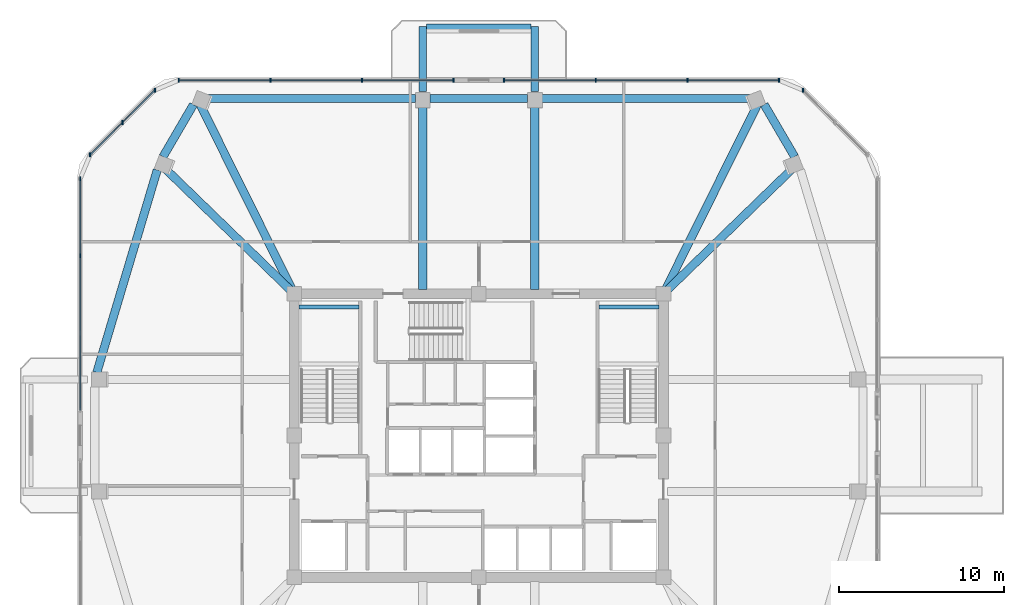
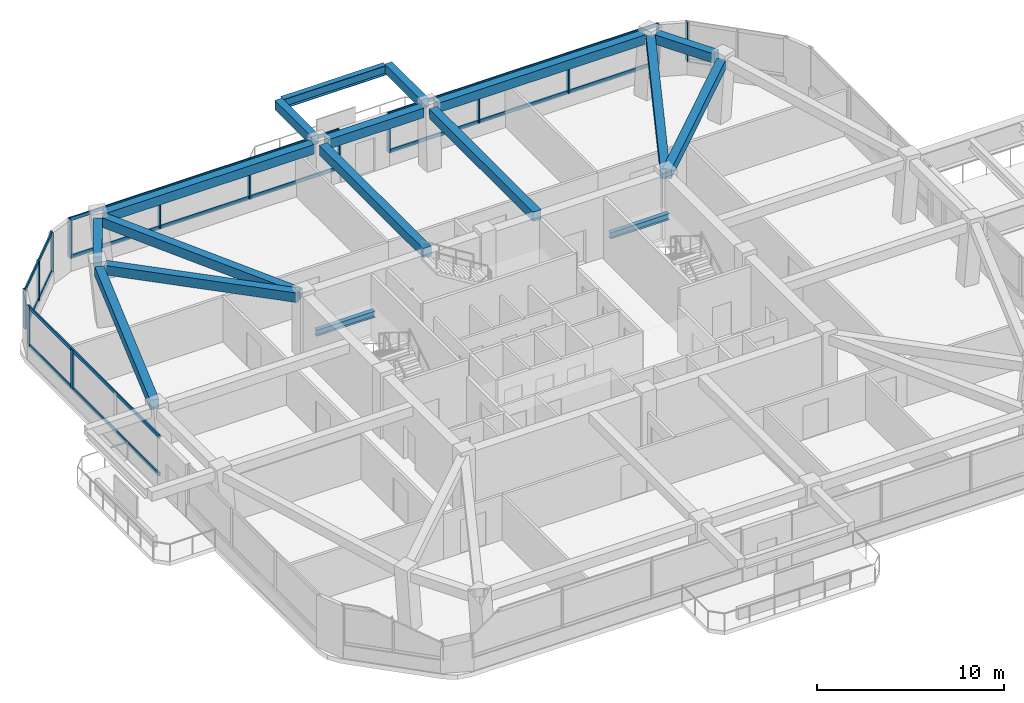
# One storey, part 4 of 13: 22 members, 17 beams, 5 elements without a shape of their own.
"""IFC4 building model written with IfcOpenShell, lengths in metres."""

from ifc_helpers import new_model, si_unit, derived_unit, direction, frame, origin, origin_2d, place, context, subcontext, project, spatial, rectangle, i_section, extrude, material, material_profile, profile_set, type_object, element, aggregate, save


model = new_model("IFC4")

# Units and contexts
model_context = context("Model", 3, precision=1e-05, world=origin(), true_north=direction((0.0, 1.0)))
body_context = subcontext(model_context, "Body", "Model", "MODEL_VIEW")
ifc_project = project(units=[si_unit("LENGTHUNIT", "METRE"), si_unit("AREAUNIT", "SQUARE_METRE"), si_unit("VOLUMEUNIT", "CUBIC_METRE"), si_unit("PLANEANGLEUNIT", "RADIAN"), si_unit("MASSUNIT", "GRAM", prefix="KILO"), derived_unit("THERMALTRANSMITTANCEUNIT", [(si_unit("POWERUNIT", "WATT"), 1), (si_unit("LENGTHUNIT", "METRE"), -2), (si_unit("THERMODYNAMICTEMPERATUREUNIT", "KELVIN"), -1)])], contexts=[model_context])

# Site, building, storey
site_placement = place(None, origin())
site = spatial("IfcSite", under=ifc_project, at=site_placement, CompositionType="ELEMENT")
building_placement = place(site_placement, origin())
building = spatial("IfcBuilding", under=site, at=building_placement, Name="Koralith Skygarden Medical Center", CompositionType="ELEMENT")
storey_placement = place(building_placement, frame((0.0, 0.0, 188.4599609375)))
storey = spatial("IfcBuildingStorey", under=building, at=storey_placement, Name="L48", CompositionType="ELEMENT", Elevation=188.4599609375)

# Curtain wall, member
ifc_material_1 = material(Name="Clear Laminated Glass", Category="glass")
curtain_wall_type = type_object("IfcCurtainWallType", Name="CW-7 Sky-Garden & Pool Conservatory Wall", PredefinedType="NOTDEFINED", material=ifc_material_1)
curtain_wall_1_placement = place(storey_placement, origin())
curtain_wall_1 = element("IfcCurtainWall", 1, at=curtain_wall_1_placement, inside=storey, type_object=curtain_wall_type, Name="Curtain Wall CW-L48-NE", PredefinedType="NOTDEFINED")
ifc_material_2 = material(Name="Aluminium 6063-T6", Category="aluminium")
ifc_material_profile_1 = material_profile(ifc_material_2, rectangle(XDim=0.0859375, YDim=0.25, at=origin_2d()), Name="MUL86X250")
ifc_profile_set_1 = profile_set([ifc_material_profile_1], Name="Aluminium 6063-T6")
member_type_1 = type_object("IfcMemberType", Name="CW-7 Extruded Mullion 86x250", PredefinedType="MULLION", material=ifc_profile_set_1)
member_1_placement = place(storey_placement, frame((56.656005859375, 46.85400390625, 0.85009765625), z_axis=(0.0, 0.0, 1.0), x_axis=(1.0, 0.0, 0.0)))
member_1 = element("IfcMember", 2, at=member_1_placement, type_object=member_type_1, Name="CW-L48-NE Mullion 3", PredefinedType="MULLION", context=body_context, shape_type="SweptSolid", body=[
    extrude(rectangle(XDim=0.0859375, YDim=0.25, at=origin_2d()), origin(), (0.0, 0.0, 1.0), 2.56005859375),
])
aggregate(curtain_wall_1, [member_1])

# Curtain wall, members
curtain_wall_2_placement = place(storey_placement, origin())
curtain_wall_2 = element("IfcCurtainWall", 3, at=curtain_wall_2_placement, inside=storey, type_object=curtain_wall_type, Name="Curtain Wall CW-L48-N-L", PredefinedType="NOTDEFINED")
member_2_placement = place(storey_placement, frame((55.205078125, 47.4560546875, 0.85009765625), z_axis=(0.0, 0.0, 1.0), x_axis=(1.0, 0.0, 0.0)))
member_2 = element("IfcMember", 4, at=member_2_placement, type_object=member_type_1, Name="CW-L48-N-L Mullion 1", PredefinedType="MULLION", context=body_context, shape_type="SweptSolid", body=[
    extrude(rectangle(XDim=0.0859375, YDim=0.25, at=origin_2d()), origin(), (0.0, 0.0, 1.0), 2.56005859375),
])
member_3_placement = place(storey_placement, frame((49.64990234375, 47.4560546875, 0.85009765625), z_axis=(0.0, 0.0, 1.0), x_axis=(1.0, 0.0, 0.0)))
member_3 = element("IfcMember", 5, at=member_3_placement, type_object=member_type_1, Name="CW-L48-N-L Mullion 2", PredefinedType="MULLION", context=body_context, shape_type="SweptSolid", body=[
    extrude(rectangle(XDim=0.0859375, YDim=0.25, at=origin_2d()), origin(), (0.0, 0.0, 1.0), 2.56005859375),
])
member_4_placement = place(storey_placement, frame((44.094970703125, 47.4560546875, 0.85009765625), z_axis=(0.0, 0.0, 1.0), x_axis=(1.0, 0.0, 0.0)))
member_4 = element("IfcMember", 6, at=member_4_placement, type_object=member_type_1, Name="CW-L48-N-L Mullion 3", PredefinedType="MULLION", context=body_context, shape_type="SweptSolid", body=[
    extrude(rectangle(XDim=0.0859375, YDim=0.25, at=origin_2d()), origin(), (0.0, 0.0, 1.0), 2.56005859375),
])
member_5_placement = place(storey_placement, frame((38.5400390625, 47.4560546875, 0.85009765625), z_axis=(0.0, 0.0, 1.0), x_axis=(1.0, 0.0, 0.0)))
member_5 = element("IfcMember", 7, at=member_5_placement, type_object=member_type_1, Name="CW-L48-N-L Mullion 4", PredefinedType="MULLION", context=body_context, shape_type="SweptSolid", body=[
    extrude(rectangle(XDim=0.0859375, YDim=0.25, at=origin_2d()), origin(), (0.0, 0.0, 1.0), 2.56005859375),
])

curtain_wall_3_placement = place(storey_placement, origin())
curtain_wall_3 = element("IfcCurtainWall", 8, at=curtain_wall_3_placement, inside=storey, type_object=curtain_wall_type, Name="Curtain Wall CW-L48-N-R", PredefinedType="NOTDEFINED")
member_6_placement = place(storey_placement, frame((35.4599609375, 47.4560546875, 0.85009765625), z_axis=(0.0, 0.0, 1.0), x_axis=(1.0, 0.0, 0.0)))
member_6 = element("IfcMember", 9, at=member_6_placement, type_object=member_type_1, Name="CW-L48-N-R Mullion 1", PredefinedType="MULLION", context=body_context, shape_type="SweptSolid", body=[
    extrude(rectangle(XDim=0.0859375, YDim=0.25, at=origin_2d()), origin(), (0.0, 0.0, 1.0), 2.56005859375),
])
member_7_placement = place(storey_placement, frame((29.905029296875, 47.4560546875, 0.85009765625), z_axis=(0.0, 0.0, 1.0), x_axis=(1.0, 0.0, 0.0)))
member_7 = element("IfcMember", 10, at=member_7_placement, type_object=member_type_1, Name="CW-L48-N-R Mullion 2", PredefinedType="MULLION", context=body_context, shape_type="SweptSolid", body=[
    extrude(rectangle(XDim=0.0859375, YDim=0.25, at=origin_2d()), origin(), (0.0, 0.0, 1.0), 2.56005859375),
])
member_8_placement = place(storey_placement, frame((24.35009765625, 47.4560546875, 0.85009765625), z_axis=(0.0, 0.0, 1.0), x_axis=(1.0, 0.0, 0.0)))
member_8 = element("IfcMember", 11, at=member_8_placement, type_object=member_type_1, Name="CW-L48-N-R Mullion 3", PredefinedType="MULLION", context=body_context, shape_type="SweptSolid", body=[
    extrude(rectangle(XDim=0.0859375, YDim=0.25, at=origin_2d()), origin(), (0.0, 0.0, 1.0), 2.56005859375),
])
member_9_placement = place(storey_placement, frame((18.794921875, 47.4560546875, 0.85009765625), z_axis=(0.0, 0.0, 1.0), x_axis=(1.0, 0.0, 0.0)))
member_9 = element("IfcMember", 12, at=member_9_placement, type_object=member_type_1, Name="CW-L48-N-R Mullion 4", PredefinedType="MULLION", context=body_context, shape_type="SweptSolid", body=[
    extrude(rectangle(XDim=0.0859375, YDim=0.25, at=origin_2d()), origin(), (0.0, 0.0, 1.0), 2.56005859375),
])

curtain_wall_4_placement = place(storey_placement, origin())
curtain_wall_4 = element("IfcCurtainWall", 13, at=curtain_wall_4_placement, inside=storey, type_object=curtain_wall_type, Name="Curtain Wall CW-L48-NW", PredefinedType="NOTDEFINED")
member_10_placement = place(storey_placement, frame((17.343994140625, 46.85400390625, 0.85009765625), z_axis=(0.0, 0.0, 1.0), x_axis=(1.0, 0.0, 0.0)))
member_10 = element("IfcMember", 14, at=member_10_placement, type_object=member_type_1, Name="CW-L48-NW Mullion 1", PredefinedType="MULLION", context=body_context, shape_type="SweptSolid", body=[
    extrude(rectangle(XDim=0.0859375, YDim=0.25, at=origin_2d()), origin(), (0.0, 0.0, 1.0), 2.56005859375),
])
member_11_placement = place(storey_placement, frame((15.383056640625, 44.89208984375, 0.85009765625), z_axis=(0.0, 0.0, 1.0), x_axis=(1.0, 0.0, 0.0)))
member_11 = element("IfcMember", 15, at=member_11_placement, type_object=member_type_1, Name="CW-L48-NW Mullion 2", PredefinedType="MULLION", context=body_context, shape_type="SweptSolid", body=[
    extrude(rectangle(XDim=0.0859375, YDim=0.25, at=origin_2d()), origin(), (0.0, 0.0, 1.0), 2.56005859375),
])
member_12_placement = place(storey_placement, frame((13.4208984375, 42.930908203125, 0.85009765625), z_axis=(0.0, 0.0, 1.0), x_axis=(1.0, 0.0, 0.0)))
member_12 = element("IfcMember", 16, at=member_12_placement, type_object=member_type_1, Name="CW-L48-NW Mullion 3", PredefinedType="MULLION", context=body_context, shape_type="SweptSolid", body=[
    extrude(rectangle(XDim=0.0859375, YDim=0.25, at=origin_2d()), origin(), (0.0, 0.0, 1.0), 2.56005859375),
])

curtain_wall_5_placement = place(storey_placement, origin())
curtain_wall_5 = element("IfcCurtainWall", 17, at=curtain_wall_5_placement, inside=storey, type_object=curtain_wall_type, Name="Curtain Wall CW-L48-W-L", PredefinedType="NOTDEFINED")
member_13_placement = place(storey_placement, frame((12.820068359375, 41.47998046875, 0.85009765625), z_axis=(0.0, 0.0, 1.0), x_axis=(1.0, 0.0, 0.0)))
member_13 = element("IfcMember", 18, at=member_13_placement, type_object=member_type_1, Name="CW-L48-W-L Mullion 1", PredefinedType="MULLION", context=body_context, shape_type="SweptSolid", body=[
    extrude(rectangle(XDim=0.0859375, YDim=0.25, at=origin_2d()), origin(), (0.0, 0.0, 1.0), 2.56005859375),
])
member_14_placement = place(storey_placement, frame((12.820068359375, 36.800048828125, 0.85009765625), z_axis=(0.0, 0.0, 1.0), x_axis=(1.0, 0.0, 0.0)))
member_14 = element("IfcMember", 19, at=member_14_placement, type_object=member_type_1, Name="CW-L48-W-L Mullion 2", PredefinedType="MULLION", context=body_context, shape_type="SweptSolid", body=[
    extrude(rectangle(XDim=0.0859375, YDim=0.25, at=origin_2d()), origin(), (0.0, 0.0, 1.0), 2.56005859375),
])

# Member
ifc_material_profile_2 = material_profile(ifc_material_2, rectangle(XDim=0.0810546875, YDim=0.22509765625, at=origin_2d()), Name="TRN81X225")
ifc_profile_set_2 = profile_set([ifc_material_profile_2], Name="Aluminium 6063-T6")
member_type_2 = type_object("IfcMemberType", Name="CW-7 Thermal Transom 81x225", PredefinedType="USERDEFINED", material=ifc_profile_set_2)
member_15_placement = place(storey_placement, frame((55.205078125, 47.4560546875, 0.900146484375), z_axis=(-1.0, 0.0, 0.0), x_axis=(0.0, -1.0, 0.0)))
member_15 = element("IfcMember", 20, at=member_15_placement, type_object=member_type_2, Name="CW-L48-N-L Transom 1", ObjectType="TRANSOM", PredefinedType="USERDEFINED", context=body_context, shape_type="SweptSolid", body=[
    extrude(rectangle(XDim=0.0810546875, YDim=0.22509765625, at=origin_2d()), origin(), (0.0, 0.0, 1.0), 16.6650390625),
])

member_16_placement = place(storey_placement, frame((55.205078125, 47.4560546875, 3.360107421875), z_axis=(-1.0, 0.0, 0.0), x_axis=(0.0, -1.0, 0.0)))
member_16 = element("IfcMember", 21, at=member_16_placement, type_object=member_type_2, Name="CW-L48-N-L Transom 2", ObjectType="TRANSOM", PredefinedType="USERDEFINED", context=body_context, shape_type="SweptSolid", body=[
    extrude(rectangle(XDim=0.0810546875, YDim=0.22509765625, at=origin_2d()), origin(), (0.0, 0.0, 1.0), 16.6650390625),
])

aggregate(curtain_wall_2, [member_2, member_3, member_4, member_5, member_15, member_16])

member_17_placement = place(storey_placement, frame((35.4599609375, 47.4560546875, 0.900146484375), z_axis=(-1.0, 0.0, 0.0), x_axis=(0.0, -1.0, 0.0)))
member_17 = element("IfcMember", 22, at=member_17_placement, type_object=member_type_2, Name="CW-L48-N-R Transom 1", ObjectType="TRANSOM", PredefinedType="USERDEFINED", context=body_context, shape_type="SweptSolid", body=[
    extrude(rectangle(XDim=0.0810546875, YDim=0.22509765625, at=origin_2d()), origin(), (0.0, 0.0, 1.0), 16.6650390625),
])

member_18_placement = place(storey_placement, frame((35.4599609375, 47.4560546875, 3.360107421875), z_axis=(-1.0, 0.0, 0.0), x_axis=(0.0, -1.0, 0.0)))
member_18 = element("IfcMember", 23, at=member_18_placement, type_object=member_type_2, Name="CW-L48-N-R Transom 2", ObjectType="TRANSOM", PredefinedType="USERDEFINED", context=body_context, shape_type="SweptSolid", body=[
    extrude(rectangle(XDim=0.0810546875, YDim=0.22509765625, at=origin_2d()), origin(), (0.0, 0.0, 1.0), 16.6650390625),
])

aggregate(curtain_wall_3, [member_6, member_7, member_8, member_9, member_17, member_18])

member_19_placement = place(storey_placement, frame((17.343994140625, 46.85400390625, 0.900146484375), z_axis=(-0.707106781187, -0.707106781187, 0.0), x_axis=(0.707106781187, -0.707106781187, 0.0)))
member_19 = element("IfcMember", 24, at=member_19_placement, type_object=member_type_2, Name="CW-L48-NW Transom 1", ObjectType="TRANSOM", PredefinedType="USERDEFINED", context=body_context, shape_type="SweptSolid", body=[
    extrude(rectangle(XDim=0.0810546875, YDim=0.22509765625, at=origin_2d()), origin(), (0.0, 0.0, 1.0), 5.548095703125),
])

member_20_placement = place(storey_placement, frame((17.343994140625, 46.85400390625, 3.360107421875), z_axis=(-0.707106781187, -0.707106781187, 0.0), x_axis=(0.707106781187, -0.707106781187, 0.0)))
member_20 = element("IfcMember", 25, at=member_20_placement, type_object=member_type_2, Name="CW-L48-NW Transom 2", ObjectType="TRANSOM", PredefinedType="USERDEFINED", context=body_context, shape_type="SweptSolid", body=[
    extrude(rectangle(XDim=0.0810546875, YDim=0.22509765625, at=origin_2d()), origin(), (0.0, 0.0, 1.0), 5.548095703125),
])

aggregate(curtain_wall_4, [member_10, member_11, member_12, member_19, member_20])

member_21_placement = place(storey_placement, frame((12.820068359375, 41.47998046875, 0.900146484375), z_axis=(0.0, -1.0, 0.0), x_axis=(1.0, 0.0, 0.0)))
member_21 = element("IfcMember", 26, at=member_21_placement, type_object=member_type_2, Name="CW-L48-W-L Transom 1", ObjectType="TRANSOM", PredefinedType="USERDEFINED", context=body_context, shape_type="SweptSolid", body=[
    extrude(rectangle(XDim=0.0810546875, YDim=0.22509765625, at=origin_2d()), origin(), (0.0, 0.0, 1.0), 14.0400390625),
])

member_22_placement = place(storey_placement, frame((12.820068359375, 41.47998046875, 3.360107421875), z_axis=(0.0, -1.0, 0.0), x_axis=(1.0, 0.0, 0.0)))
member_22 = element("IfcMember", 27, at=member_22_placement, type_object=member_type_2, Name="CW-L48-W-L Transom 2", ObjectType="TRANSOM", PredefinedType="USERDEFINED", context=body_context, shape_type="SweptSolid", body=[
    extrude(rectangle(XDim=0.0810546875, YDim=0.22509765625, at=origin_2d()), origin(), (0.0, 0.0, 1.0), 14.0400390625),
])

aggregate(curtain_wall_5, [member_13, member_14, member_21, member_22])

# Beams
ifc_material_3 = material(Name="Steel ASTM A992 Grade 50", Category="steel")
ifc_material_profile_3 = material_profile(ifc_material_3, i_section(OverallWidth=0.326904296875, OverallDepth=0.6220703125, WebThickness=0.015380859375, FlangeThickness=0.0244140625, at=origin_2d()), Name="W24X131")
ifc_profile_set_3 = profile_set([ifc_material_profile_3], Name="Steel ASTM A992 Grade 50")
beam_type_1 = type_object("IfcBeamType", Name="Cantilever Tie Beam W24X131", PredefinedType="BEAM", material=ifc_profile_set_3)
beam_1_placement = place(storey_placement, frame((33.820068359375, 50.705078125, 3.7490234375), z_axis=(1.0, 0.0, 0.0), x_axis=(0.0, 1.0, 0.0)))
element("IfcBeam", 28, at=beam_1_placement, inside=storey, type_object=beam_type_1, Name="L49 N Balcony Tip Tie Beam", PredefinedType="BEAM", context=body_context, shape_type="SweptSolid", body=[
    extrude(i_section(OverallWidth=0.326904296875, OverallDepth=0.6220703125, WebThickness=0.015380859375, FlangeThickness=0.0244140625, at=origin_2d()), origin(), (0.0, 0.0, 1.0), 6.35986328125),
])
ifc_material_profile_4 = material_profile(ifc_material_3, i_section(OverallWidth=0.260009765625, OverallDepth=0.4150390625, WebThickness=0.010009765625, FlangeThickness=0.016845703125, at=origin_2d()), Name="W16X67")
ifc_profile_set_4 = profile_set([ifc_material_profile_4], Name="Steel ASTM A992 Grade 50")
beam_type_2 = type_object("IfcBeamType", Name="Clinical Floor Joist W16X67", PredefinedType="JOIST", material=ifc_profile_set_4)
for number, where, z_axis, x_axis, name in (
    (29, (26.080078125, 33.699951171875, 1.7529296875), (1.0, 0.0, 0.0), (0.0, 1.0, 0.0), "L48 Stair ST1 Half-Landing Support Beam 1B"),
    (30, (44.280029296875, 33.699951171875, 1.7529296875), (1.0, 0.0, 0.0), (0.0, 1.0, 0.0), "L48 Stair ST2 Half-Landing Support Beam 1B"),
):
    element("IfcBeam", number, at=place(storey_placement, frame(where, z_axis=z_axis, x_axis=x_axis)), inside=storey, type_object=beam_type_2, Name=name, PredefinedType="JOIST", context=body_context, shape_type="SweptSolid", body=[
        extrude(i_section(OverallWidth=0.260009765625, OverallDepth=0.4150390625, WebThickness=0.010009765625, FlangeThickness=0.016845703125, at=origin_2d()), origin(), (0.0, 0.0, 1.0), 3.639892578125),
    ])
ifc_material_4 = material(Name="Concrete C45/55", Category="concrete")
ifc_material_profile_5 = material_profile(ifc_material_4, rectangle(XDim=0.449951171875, YDim=0.60009765625, at=origin_2d()), Name="RCB450X600")
ifc_profile_set_5 = profile_set([ifc_material_profile_5], Name="Concrete C45/55")
beam_type_3 = type_object("IfcBeamType", Name="Planted Balcony Cantilever Beam RCB450X600", PredefinedType="BEAM", material=ifc_profile_set_5)
for number, where, z_axis, x_axis, name in (
    (31, (33.60009765625, 46.784912109375, 3.760009765625), (0.0, 1.0, 0.0), (-1.0, 0.0, 0.0), "L49 N Balcony Cantilever Beam A"),
    (32, (40.39990234375, 46.784912109375, 3.760009765625), (0.0, 1.0, 0.0), (-1.0, 0.0, 0.0), "L49 N Balcony Cantilever Beam B"),
):
    element("IfcBeam", number, at=place(storey_placement, frame(where, z_axis=z_axis, x_axis=x_axis)), inside=storey, type_object=beam_type_3, Name=name, PredefinedType="BEAM", context=body_context, shape_type="SweptSolid", body=[
        extrude(rectangle(XDim=0.449951171875, YDim=0.60009765625, at=origin_2d()), origin(), (0.0, 0.0, 1.0), 3.920166015625),
    ])
ifc_material_profile_6 = material_profile(ifc_material_4, rectangle(XDim=0.5, YDim=0.6201171875, at=origin_2d()), Name="RCB500X620")
ifc_profile_set_6 = profile_set([ifc_material_profile_6], Name="Concrete C45/55")
beam_type_4 = type_object("IfcBeamType", Name="Upper Radial Collector Beam RCB500X620", PredefinedType="BEAM", material=ifc_profile_set_6)
beam_2_placement = place(storey_placement, frame((48.37890625, 34.674072265625, 3.72998046875), z_axis=(0.717954600656, 0.696089930538, 0.0), x_axis=(-0.696089930538, 0.717954600656, 0.0)))
element("IfcBeam", 33, at=beam_2_placement, inside=storey, type_object=beam_type_4, Name="L48 Radial Collector Beam RB-10", PredefinedType="BEAM", context=body_context, shape_type="SweptSolid", body=[
    extrude(rectangle(XDim=0.5, YDim=0.6201171875, at=origin_2d()), origin(), (0.0, 0.0, 1.0), 10.708251953125),
])
beam_3_placement = place(storey_placement, frame((48.31103515625, 34.72412109375, 3.72998046875), z_axis=(0.445079925524, 0.895490848583, 0.0), x_axis=(-0.895490848583, 0.445079925524, 0.0)))
element("IfcBeam", 34, at=beam_3_placement, inside=storey, type_object=beam_type_4, Name="L48 Radial Collector Beam RB-11", PredefinedType="BEAM", context=body_context, shape_type="SweptSolid", body=[
    extrude(rectangle(XDim=0.5, YDim=0.6201171875, at=origin_2d()), origin(), (0.0, 0.0, 1.0), 12.54833984375),
])
for number, where, z_axis, x_axis, name in (
    (35, (40.39990234375, 34.75, 3.72998046875), (0.0, 1.0, 0.0), (-1.0, 0.0, 0.0), "L48 Radial Collector Beam RB-12"),
    (36, (33.60009765625, 34.75, 3.72998046875), (0.0, 1.0, 0.0), (-1.0, 0.0, 0.0), "L48 Radial Collector Beam RB-13"),
):
    element("IfcBeam", number, at=place(storey_placement, frame(where, z_axis=z_axis, x_axis=x_axis)), inside=storey, type_object=beam_type_4, Name=name, PredefinedType="BEAM", context=body_context, shape_type="SweptSolid", body=[
        extrude(rectangle(XDim=0.5, YDim=0.6201171875, at=origin_2d()), origin(), (0.0, 0.0, 1.0), 11.1650390625),
    ])
beam_4_placement = place(storey_placement, frame((25.68896484375, 34.72412109375, 3.72998046875), z_axis=(-0.445079925524, 0.895490848583, 0.0), x_axis=(-0.895490848583, -0.445079925524, 0.0)))
element("IfcBeam", 37, at=beam_4_placement, inside=storey, type_object=beam_type_4, Name="L48 Radial Collector Beam RB-14", PredefinedType="BEAM", context=body_context, shape_type="SweptSolid", body=[
    extrude(rectangle(XDim=0.5, YDim=0.6201171875, at=origin_2d()), origin(), (0.0, 0.0, 1.0), 12.54833984375),
])
beam_5_placement = place(storey_placement, frame((25.62109375, 34.674072265625, 3.72998046875), z_axis=(-0.717954600656, 0.696089930538, 0.0), x_axis=(-0.696089930538, -0.717954600656, 0.0)))
element("IfcBeam", 38, at=beam_5_placement, inside=storey, type_object=beam_type_4, Name="L48 Radial Collector Beam RB-15", PredefinedType="BEAM", context=body_context, shape_type="SweptSolid", body=[
    extrude(rectangle(XDim=0.5, YDim=0.6201171875, at=origin_2d()), origin(), (0.0, 0.0, 1.0), 10.708251953125),
])
ifc_material_profile_7 = material_profile(ifc_material_4, rectangle(XDim=0.5, YDim=0.6201171875, at=origin_2d()), Name="RCB500X620")
ifc_profile_set_7 = profile_set([ifc_material_profile_7], Name="Concrete C45/55")
beam_type_5 = type_object("IfcBeamType", Name="Zone 4-5 Spandrel Beam RCB500X620", PredefinedType="SPANDREL", material=ifc_profile_set_7)
beam_6_placement = place(storey_placement, frame((56.160888671875, 42.81396484375, 3.72998046875), z_axis=(-0.504467955678, 0.863430415085, 0.0), x_axis=(-0.863430415085, -0.504467955678, 0.0)))
element("IfcBeam", 39, at=beam_6_placement, inside=storey, type_object=beam_type_5, Name="L48 Perimeter Spandrel Beam SP-10", PredefinedType="SPANDREL", context=body_context, shape_type="SweptSolid", body=[
    extrude(rectangle(XDim=0.5, YDim=0.6201171875, at=origin_2d()), origin(), (0.0, 0.0, 1.0), 3.6611328125),
])
beam_7_placement = place(storey_placement, frame((53.652099609375, 46.35498046875, 3.72998046875), z_axis=(-1.0, 0.0, 0.0), x_axis=(0.0, -1.0, 0.0)))
element("IfcBeam", 40, at=beam_7_placement, inside=storey, type_object=beam_type_5, Name="L48 Perimeter Spandrel Beam SP-11", PredefinedType="SPANDREL", context=body_context, shape_type="SweptSolid", body=[
    extrude(rectangle(XDim=0.5, YDim=0.6201171875, at=origin_2d()), origin(), (0.0, 0.0, 1.0), 12.81201171875),
])
beam_8_placement = place(storey_placement, frame((39.9599609375, 46.35498046875, 3.72998046875), z_axis=(-1.0, 0.0, 0.0), x_axis=(0.0, -1.0, 0.0)))
element("IfcBeam", 41, at=beam_8_placement, inside=storey, type_object=beam_type_5, Name="L48 Perimeter Spandrel Beam SP-12", PredefinedType="SPANDREL", context=body_context, shape_type="SweptSolid", body=[
    extrude(rectangle(XDim=0.5, YDim=0.6201171875, at=origin_2d()), origin(), (0.0, 0.0, 1.0), 5.919921875),
])
beam_9_placement = place(storey_placement, frame((33.159912109375, 46.35498046875, 3.72998046875), z_axis=(-1.0, 0.0, 0.0), x_axis=(0.0, -1.0, 0.0)))
element("IfcBeam", 42, at=beam_9_placement, inside=storey, type_object=beam_type_5, Name="L48 Perimeter Spandrel Beam SP-13", PredefinedType="SPANDREL", context=body_context, shape_type="SweptSolid", body=[
    extrude(rectangle(XDim=0.5, YDim=0.6201171875, at=origin_2d()), origin(), (0.0, 0.0, 1.0), 12.81201171875),
])
beam_10_placement = place(storey_placement, frame((19.68603515625, 45.97509765625, 3.72998046875), z_axis=(-0.504467955678, -0.863430415085, 0.0), x_axis=(0.863430415085, -0.504467955678, 0.0)))
element("IfcBeam", 43, at=beam_10_placement, inside=storey, type_object=beam_type_5, Name="L48 Perimeter Spandrel Beam SP-14", PredefinedType="SPANDREL", context=body_context, shape_type="SweptSolid", body=[
    extrude(rectangle(XDim=0.5, YDim=0.6201171875, at=origin_2d()), origin(), (0.0, 0.0, 1.0), 3.6611328125),
])
beam_11_placement = place(storey_placement, frame((17.490966796875, 42.011962890625, 3.72998046875), z_axis=(-0.285985440229, -0.958233963068, 0.0), x_axis=(0.958233963068, -0.285985440229, 0.0)))
element("IfcBeam", 44, at=beam_11_placement, inside=storey, type_object=beam_type_5, Name="L48 Perimeter Spandrel Beam SP-15", PredefinedType="SPANDREL", context=body_context, shape_type="SweptSolid", body=[
    extrude(rectangle(XDim=0.5, YDim=0.6201171875, at=origin_2d()), origin(), (0.0, 0.0, 1.0), 12.82568359375),
])

save(model, "model.ifc")
